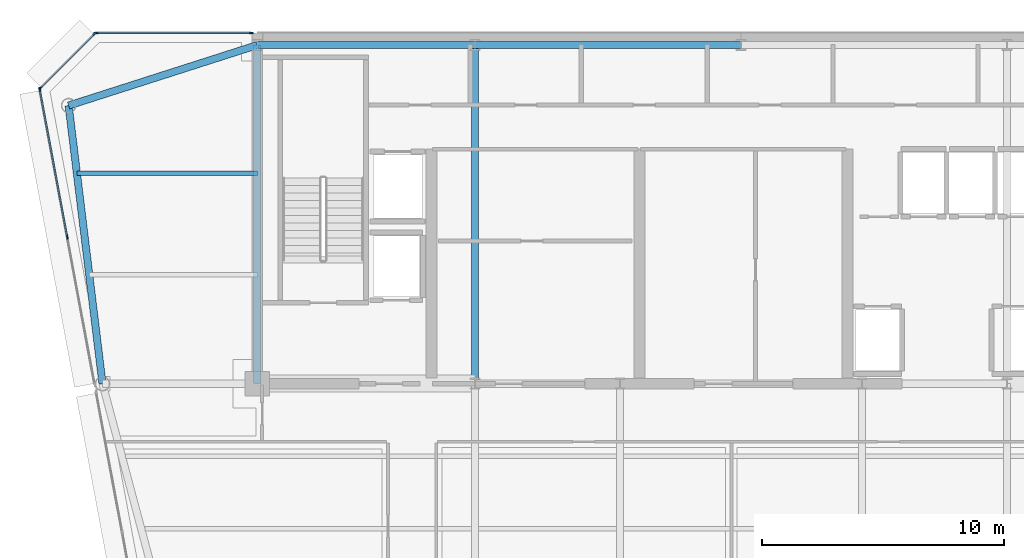
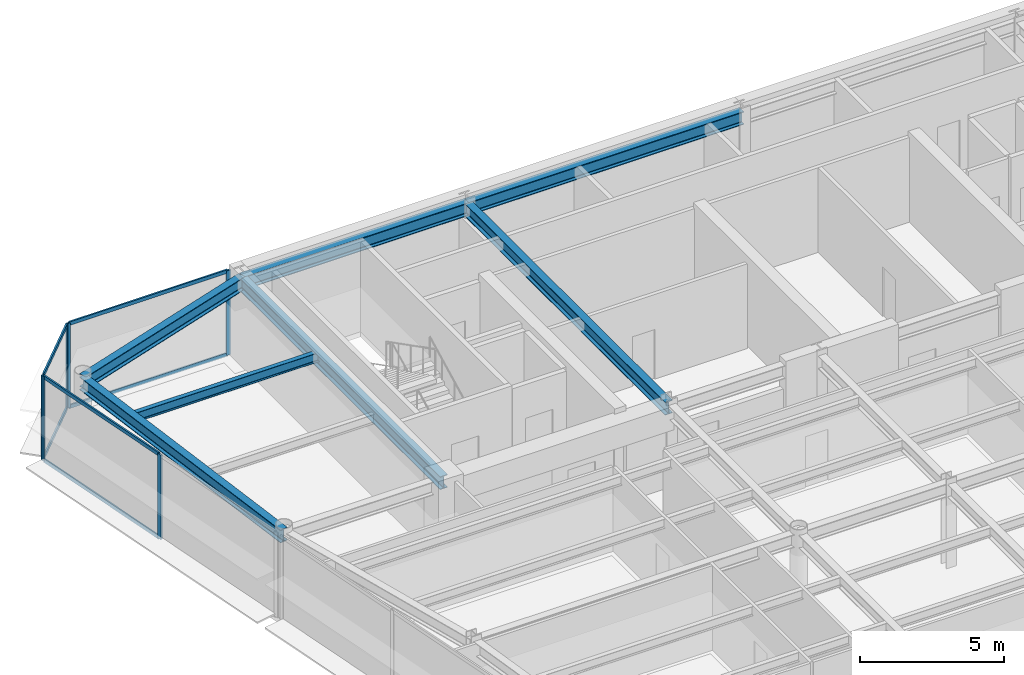
# One storey, part 7 of 19: 12 members, 7 beams, 3 elements without a shape of their own.
"""IFC4 building model written with IfcOpenShell, lengths in metres."""

from ifc_helpers import new_model, si_unit, direction, frame, origin, origin_2d, place, context, subcontext, project, spatial, rectangle, i_section, extrude, source, transform, mapped, material, layer, layer_set, material_profile, profile_set, type_object, element, aggregate, save


model = new_model("IFC4")

# Units and contexts
model_context = context("Model", 3, precision=1e-05, world=origin(), true_north=direction((0.0, 1.0)))
body_context = subcontext(model_context, "Body", "Model", "MODEL_VIEW")
ifc_project = project(units=[si_unit("LENGTHUNIT", "METRE"), si_unit("AREAUNIT", "SQUARE_METRE"), si_unit("VOLUMEUNIT", "CUBIC_METRE"), si_unit("PLANEANGLEUNIT", "RADIAN"), si_unit("MASSUNIT", "GRAM", prefix="KILO")], contexts=[model_context])

# Site, building, storey
site_placement = place(None, origin())
site = spatial("IfcSite", under=ifc_project, at=site_placement, CompositionType="ELEMENT")
building_placement = place(site_placement, origin())
building = spatial("IfcBuilding", under=site, at=building_placement, Name="Vaeldorn Concourse Tower", CompositionType="ELEMENT")
storey_placement = place(building_placement, frame((0.0, 0.0, 249.800048828125)))
storey = spatial("IfcBuildingStorey", under=building, at=storey_placement, Name="L64", CompositionType="ELEMENT", Elevation=249.800048828125)

# Beams
ifc_material_1 = material(Name="Steel S355", Category="steel")
ifc_material_profile_1 = material_profile(ifc_material_1, i_section(OverallWidth=0.179931640625, OverallDepth=0.39990234375, WebThickness=0.008544921875, FlangeThickness=0.013427734375, FilletRadius=0.02099609375, at=origin_2d()), Name="IPE 400")
ifc_profile_set_1 = profile_set([ifc_material_profile_1], Name="Steel S355")
beam_type_1 = type_object("IfcBeamType", Name="BM-JS-IPE400", PredefinedType="JOIST", material=ifc_profile_set_1)
shared_shape_1 = source(origin(), body_context, "Body", "SweptSolid", [
    extrude(i_section(OverallWidth=0.179931640625, OverallDepth=0.39990234375, WebThickness=0.008544921875, FlangeThickness=0.013427734375, FilletRadius=0.02099609375, at=origin_2d()), origin(), (0.0, 0.0, 1.0), 7.458984375),
])
beam_1_placement = place(storey_placement, frame((6.541015625, 45.199951171875, 3.3798828125), z_axis=(1.0, 0.0, 0.0), x_axis=(0.0, 1.0, 0.0)))
element("IfcBeam", 1, at=beam_1_placement, inside=storey, type_object=beam_type_1, Name="Beam JS-L64-NW-452", PredefinedType="JOIST", context=body_context, shape_type="MappedRepresentation", body=[
    mapped(shared_shape_1, transform((0.0, 0.0, 0.0), scale=1.0)),
])
ifc_material_profile_2 = material_profile(ifc_material_1, i_section(OverallWidth=0.300048828125, OverallDepth=0.550048828125, WebThickness=0.014892578125, FlangeThickness=0.029052734375, FilletRadius=0.027099609375, at=origin_2d()), Name="HEB 550")
ifc_profile_set_2 = profile_set([ifc_material_profile_2], Name="Steel S355")
beam_type_2 = type_object("IfcBeamType", Name="BM-PG-HEB550", PredefinedType="BEAM", material=ifc_profile_set_2)
shared_shape_2 = source(origin(), body_context, "Body", "SweptSolid", [
    extrude(i_section(OverallWidth=0.300048828125, OverallDepth=0.550048828125, WebThickness=0.014892578125, FlangeThickness=0.029052734375, FilletRadius=0.027099609375, at=origin_2d()), origin(), (0.0, 0.0, 1.0), 9.0),
])
beam_2_placement = place(storey_placement, frame((14.0, 50.5, 3.304931640625), z_axis=(1.0, 0.0, 0.0), x_axis=(0.0, 1.0, 0.0)))
element("IfcBeam", 2, at=beam_2_placement, inside=storey, type_object=beam_type_2, Name="Beam BM-L64-C-HC1-C-HC2", PredefinedType="BEAM", context=body_context, shape_type="MappedRepresentation", body=[
    mapped(shared_shape_2, transform((0.0, 0.0, 0.0), scale=1.0)),
])
shared_shape_3 = source(origin(), body_context, "Body", "SweptSolid", [
    extrude(i_section(OverallWidth=0.300048828125, OverallDepth=0.550048828125, WebThickness=0.014892578125, FlangeThickness=0.029052734375, FilletRadius=0.027099609375, at=origin_2d()), origin(), (0.0, 0.0, 1.0), 11.0),
])
beam_3_placement = place(storey_placement, frame((23.0, 50.5, 3.304931640625), z_axis=(1.0, 0.0, 0.0), x_axis=(0.0, 1.0, 0.0)))
element("IfcBeam", 3, at=beam_3_placement, inside=storey, type_object=beam_type_2, Name="Beam BM-L64-C-HC2-C-HC3", PredefinedType="BEAM", context=body_context, shape_type="MappedRepresentation", body=[
    mapped(shared_shape_3, transform((0.0, 0.0, 0.0), scale=1.0)),
])
shared_shape_4 = source(origin(), body_context, "Body", "SweptSolid", [
    extrude(i_section(OverallWidth=0.300048828125, OverallDepth=0.550048828125, WebThickness=0.014892578125, FlangeThickness=0.029052734375, FilletRadius=0.027099609375, at=origin_2d()), origin(), (0.0, 0.0, 1.0), 14.0),
])
for number, where, z_axis, x_axis, name in (
    (4, (14.0, 36.5, 3.304931640625), (0.0, 1.0, 0.0), (-1.0, 0.0, 0.0), "Beam BM-L64-C-FC1-C-HC1"),
    (5, (23.0, 36.5, 3.304931640625), (0.0, 1.0, 0.0), (-1.0, 0.0, 0.0), "Beam BM-L64-C-FC2-C-HC2"),
):
    element("IfcBeam", number, at=place(storey_placement, frame(where, z_axis=z_axis, x_axis=x_axis)), inside=storey, type_object=beam_type_2, Name=name, PredefinedType="BEAM", context=body_context, shape_type="MappedRepresentation", body=[
        mapped(shared_shape_4, transform((0.0, 0.0, 0.0), scale=1.0)),
    ])
shared_shape_5 = source(origin(), body_context, "Body", "SweptSolid", [
    extrude(i_section(OverallWidth=0.300048828125, OverallDepth=0.550048828125, WebThickness=0.014892578125, FlangeThickness=0.029052734375, FilletRadius=0.027099609375, at=origin_2d()), origin(), (0.0, 0.0, 1.0), 8.19091796875),
])
beam_4_placement = place(storey_placement, frame((6.199951171875, 48.0, 3.304931640625), z_axis=(0.952282843383, 0.305216949396, 0.0), x_axis=(-0.305216949396, 0.952282843383, 0.0)))
element("IfcBeam", 6, at=beam_4_placement, inside=storey, type_object=beam_type_2, Name="Beam BM-L64-C-NW1-C-HC1", PredefinedType="BEAM", context=body_context, shape_type="MappedRepresentation", body=[
    mapped(shared_shape_5, transform((0.0, 0.0, 0.0), scale=1.0)),
])
shared_shape_6 = source(origin(), body_context, "Body", "SweptSolid", [
    extrude(i_section(OverallWidth=0.300048828125, OverallDepth=0.550048828125, WebThickness=0.014892578125, FlangeThickness=0.029052734375, FilletRadius=0.027099609375, at=origin_2d()), origin(), (0.0, 0.0, 1.0), 11.5849609375),
])
beam_5_placement = place(storey_placement, frame((6.199951171875, 48.0, 3.304931640625), z_axis=(0.120859382899, -0.992669637677, 0.0), x_axis=(0.992669637677, 0.120859382899, 0.0)))
element("IfcBeam", 7, at=beam_5_placement, inside=storey, type_object=beam_type_2, Name="Beam BM-L64-C-NW1-C-NW2", PredefinedType="BEAM", context=body_context, shape_type="MappedRepresentation", body=[
    mapped(shared_shape_6, transform((0.0, 0.0, 0.0), scale=1.0)),
])

# Curtain wall, members
ifc_material_2 = material(Name="Anodised Bronze Aluminium", Category="aluminium")
ifc_layer = layer(ifc_material_2, 0.179931640625)
ifc_layer_set = layer_set([ifc_layer], Name="Anodised Bronze Aluminium")
curtain_wall_type = type_object("IfcCurtainWallType", Name="CW-SYS-05", PredefinedType="NOTDEFINED", material=ifc_layer_set)
curtain_wall_1_placement = place(storey_placement, origin())
curtain_wall_1 = element("IfcCurtainWall", 8, at=curtain_wall_1_placement, inside=storey, type_object=curtain_wall_type, Name="Unitised Curtain Wall CW-L64-E09-2", PredefinedType="NOTDEFINED")
ifc_material_profile_3 = material_profile(ifc_material_2, rectangle(XDim=0.06494140625, YDim=0.169921875, at=origin_2d()), Name="CWM 65x170")
ifc_profile_set_3 = profile_set([ifc_material_profile_3], Name="Anodised Bronze Aluminium")
member_type_1 = type_object("IfcMemberType", Name="CWM-BRONZE-170", PredefinedType="MULLION", material=ifc_profile_set_3)
shared_shape_7 = source(origin(), body_context, "Body", "SweptSolid", [
    extrude(rectangle(XDim=0.06494140625, YDim=0.169921875, at=origin_2d()), origin(), (0.0, 0.0, 1.0), 3.579833984375),
])
member_1_placement = place(storey_placement, frame((13.74755859375, 51.0, 0.0), z_axis=(0.0, 0.0, 1.0), x_axis=(0.0, -1.0, 0.0)))
member_1 = element("IfcMember", 9, at=member_1_placement, type_object=member_type_1, Name="CW-05 mullion 1", PredefinedType="MULLION", context=body_context, shape_type="MappedRepresentation", body=[
    mapped(shared_shape_7, transform((0.0, 0.0, 0.0), scale=1.0)),
])
member_2_placement = place(storey_placement, frame((7.33251953125, 51.0, 0.0), z_axis=(0.0, 0.0, 1.0), x_axis=(0.0, -1.0, 0.0)))
member_2 = element("IfcMember", 10, at=member_2_placement, type_object=member_type_1, Name="CW-05 mullion 2", PredefinedType="MULLION", context=body_context, shape_type="MappedRepresentation", body=[
    mapped(shared_shape_7, transform((0.0, 0.0, 0.0), scale=1.0)),
])

curtain_wall_2_placement = place(storey_placement, origin())
curtain_wall_2 = element("IfcCurtainWall", 11, at=curtain_wall_2_placement, inside=storey, type_object=curtain_wall_type, Name="Unitised Curtain Wall CW-L64-E10-1", PredefinedType="NOTDEFINED")
member_3_placement = place(storey_placement, frame((7.277099609375, 50.97705078125, 0.0), z_axis=(0.0, 0.0, 1.0), x_axis=(0.707106781187, -0.707106781187, 0.0)))
member_3 = element("IfcMember", 12, at=member_3_placement, type_object=member_type_1, Name="CW-05 mullion 1", PredefinedType="MULLION", context=body_context, shape_type="MappedRepresentation", body=[
    mapped(shared_shape_7, transform((0.0, 0.0, 0.0), scale=1.0)),
])
member_4_placement = place(storey_placement, frame((5.02294921875, 48.722900390625, 0.0), z_axis=(0.0, 0.0, 1.0), x_axis=(0.707106781187, -0.707106781187, 0.0)))
member_4 = element("IfcMember", 13, at=member_4_placement, type_object=member_type_1, Name="CW-05 mullion 2", PredefinedType="MULLION", context=body_context, shape_type="MappedRepresentation", body=[
    mapped(shared_shape_7, transform((0.0, 0.0, 0.0), scale=1.0)),
])

curtain_wall_3_placement = place(storey_placement, origin())
curtain_wall_3 = element("IfcCurtainWall", 14, at=curtain_wall_3_placement, inside=storey, type_object=curtain_wall_type, Name="Unitised Curtain Wall CW-L64-E11-1", PredefinedType="NOTDEFINED")
member_5_placement = place(storey_placement, frame((5.005859375, 48.66796875, 0.0), z_axis=(0.0, 0.0, 1.0), x_axis=(0.983102768025, 0.183054493257, 0.0)))
member_5 = element("IfcMember", 15, at=member_5_placement, type_object=member_type_1, Name="CW-05 mullion 1", PredefinedType="MULLION", context=body_context, shape_type="MappedRepresentation", body=[
    mapped(shared_shape_7, transform((0.0, 0.0, 0.0), scale=1.0)),
])
member_6_placement = place(storey_placement, frame((6.142578125, 42.564208984375, 0.0), z_axis=(0.0, 0.0, 1.0), x_axis=(0.983102768025, 0.183054493257, 0.0)))
member_6 = element("IfcMember", 16, at=member_6_placement, type_object=member_type_1, Name="CW-05 mullion 2", PredefinedType="MULLION", context=body_context, shape_type="MappedRepresentation", body=[
    mapped(shared_shape_7, transform((0.0, 0.0, 0.0), scale=1.0)),
])

# Member
ifc_material_profile_4 = material_profile(ifc_material_2, rectangle(XDim=0.06494140625, YDim=0.14990234375, at=origin_2d()), Name="CWT 65x150")
ifc_profile_set_4 = profile_set([ifc_material_profile_4], Name="Anodised Bronze Aluminium")
member_type_2 = type_object("IfcMemberType", Name="CWT-BRONZE-150", PredefinedType="USERDEFINED", material=ifc_profile_set_4)
shared_shape_8 = source(origin(), body_context, "Body", "SweptSolid", [
    extrude(rectangle(XDim=0.06494140625, YDim=0.14990234375, at=origin_2d()), origin(), (0.0, 0.0, 1.0), 3.123046875),
])
member_7_placement = place(storey_placement, frame((7.254150390625, 50.9541015625, 0.032470703125), z_axis=(-0.707106781187, -0.707106781187, 0.0), x_axis=(0.707106781187, -0.707106781187, 0.0)))
member_7 = element("IfcMember", 17, at=member_7_placement, type_object=member_type_2, Name="CW-05 transom 1.1", ObjectType="TRANSOM", PredefinedType="USERDEFINED", context=body_context, shape_type="MappedRepresentation", body=[
    mapped(shared_shape_8, transform((0.0, 0.0, 0.0), scale=1.0)),
])

member_8_placement = place(storey_placement, frame((7.254150390625, 50.9541015625, 3.54736328125), z_axis=(-0.707106781187, -0.707106781187, 0.0), x_axis=(0.707106781187, -0.707106781187, 0.0)))
member_8 = element("IfcMember", 18, at=member_8_placement, type_object=member_type_2, Name="CW-05 transom 1.2", ObjectType="TRANSOM", PredefinedType="USERDEFINED", context=body_context, shape_type="MappedRepresentation", body=[
    mapped(shared_shape_8, transform((0.0, 0.0, 0.0), scale=1.0)),
])

aggregate(curtain_wall_2, [member_3, member_4, member_7, member_8])

shared_shape_9 = source(origin(), body_context, "Body", "SweptSolid", [
    extrude(rectangle(XDim=0.06494140625, YDim=0.14990234375, at=origin_2d()), origin(), (0.0, 0.0, 1.0), 6.1435546875),
])
member_9_placement = place(storey_placement, frame((5.011962890625, 48.635986328125, 0.032470703125), z_axis=(0.183038328644, -0.983105777751, 0.0), x_axis=(0.983105777751, 0.183038328644, 0.0)))
member_9 = element("IfcMember", 19, at=member_9_placement, type_object=member_type_2, Name="CW-05 transom 1.1", ObjectType="TRANSOM", PredefinedType="USERDEFINED", context=body_context, shape_type="MappedRepresentation", body=[
    mapped(shared_shape_9, transform((0.0, 0.0, 0.0), scale=1.0)),
])

member_10_placement = place(storey_placement, frame((5.011962890625, 48.635986328125, 3.54736328125), z_axis=(0.183038328644, -0.983105777751, 0.0), x_axis=(0.983105777751, 0.183038328644, 0.0)))
member_10 = element("IfcMember", 20, at=member_10_placement, type_object=member_type_2, Name="CW-05 transom 1.2", ObjectType="TRANSOM", PredefinedType="USERDEFINED", context=body_context, shape_type="MappedRepresentation", body=[
    mapped(shared_shape_9, transform((0.0, 0.0, 0.0), scale=1.0)),
])

aggregate(curtain_wall_3, [member_5, member_6, member_9, member_10])

shared_shape_10 = source(origin(), body_context, "Body", "SweptSolid", [
    extrude(rectangle(XDim=0.06494140625, YDim=0.14990234375, at=origin_2d()), origin(), (0.0, 0.0, 1.0), 6.35009765625),
])
member_11_placement = place(storey_placement, frame((13.715087890625, 51.0, 0.032470703125), z_axis=(-1.0, 0.0, 0.0), x_axis=(0.0, -1.0, 0.0)))
member_11 = element("IfcMember", 21, at=member_11_placement, type_object=member_type_2, Name="CW-05 transom 1.1", ObjectType="TRANSOM", PredefinedType="USERDEFINED", context=body_context, shape_type="MappedRepresentation", body=[
    mapped(shared_shape_10, transform((0.0, 0.0, 0.0), scale=1.0)),
])

member_12_placement = place(storey_placement, frame((13.715087890625, 51.0, 3.54736328125), z_axis=(-1.0, 0.0, 0.0), x_axis=(0.0, -1.0, 0.0)))
member_12 = element("IfcMember", 22, at=member_12_placement, type_object=member_type_2, Name="CW-05 transom 1.2", ObjectType="TRANSOM", PredefinedType="USERDEFINED", context=body_context, shape_type="MappedRepresentation", body=[
    mapped(shared_shape_10, transform((0.0, 0.0, 0.0), scale=1.0)),
])

aggregate(curtain_wall_1, [member_1, member_2, member_11, member_12])

save(model, "model.ifc")
